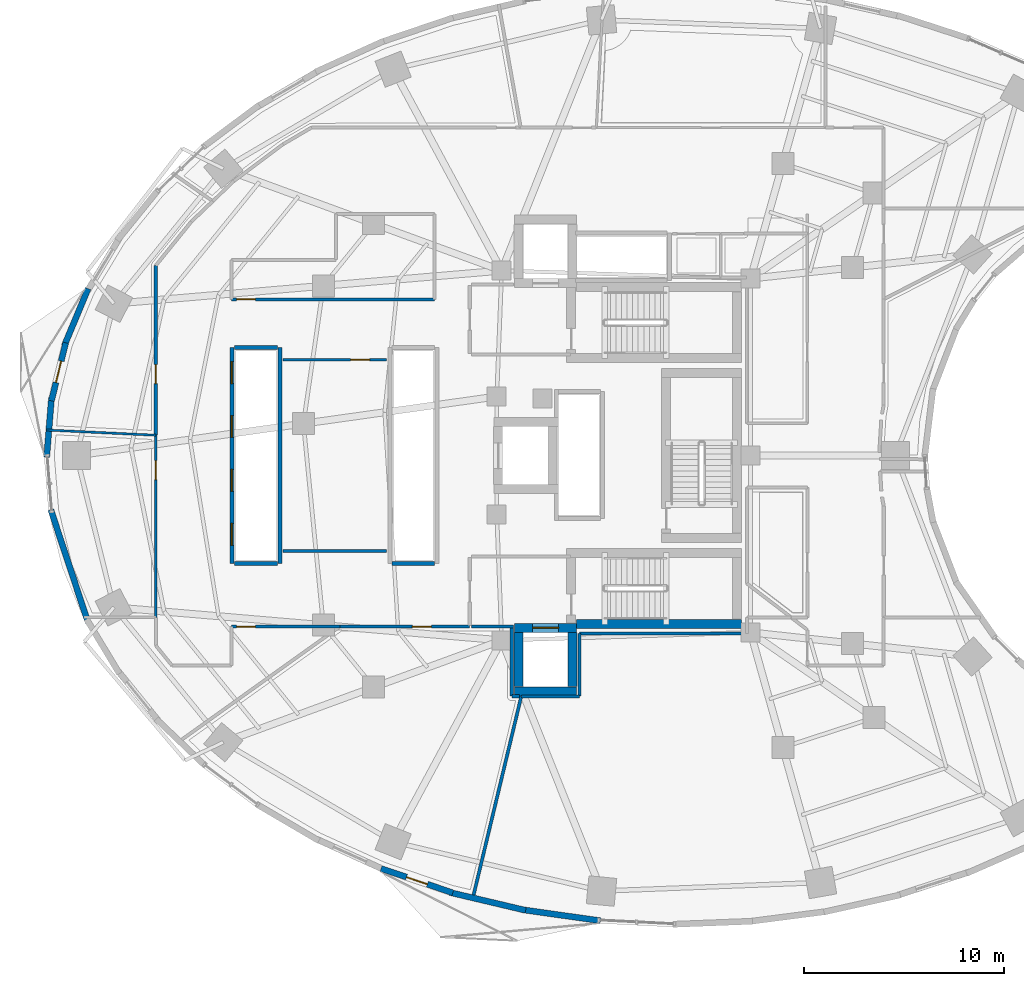
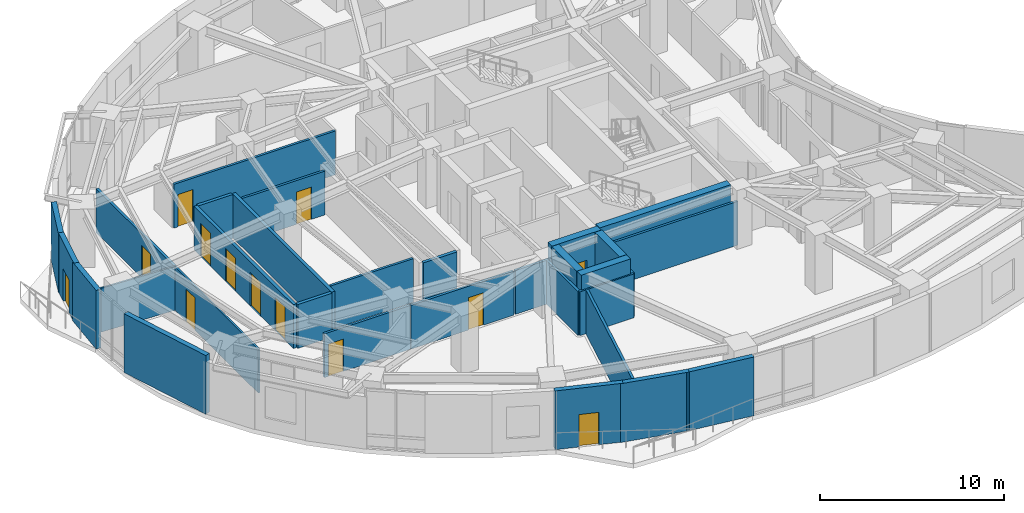
# One storey, part 11 of 17: 32 walls, 13 doors, 13 openings.
"""IFC4 building model written with IfcOpenShell, lengths in metres."""

from ifc_helpers import new_model, si_unit, direction, frame, frame_2d, origin, place, context, subcontext, project, spatial, rectangle, extrude, material, layer, layer_set, type_object, element, fill, save


model = new_model("IFC4")

# Units and contexts
model_context = context("Model", 3, precision=1e-05, world=origin(), true_north=direction((0.0, 1.0)))
body_context = subcontext(model_context, "Body", "Model", "MODEL_VIEW")
ifc_project = project(units=[si_unit("LENGTHUNIT", "METRE"), si_unit("AREAUNIT", "SQUARE_METRE"), si_unit("VOLUMEUNIT", "CUBIC_METRE"), si_unit("PLANEANGLEUNIT", "RADIAN"), si_unit("MASSUNIT", "GRAM", prefix="KILO")], contexts=[model_context])

# Site, building, storey
site_placement = place(None, origin())
site = spatial("IfcSite", under=ifc_project, at=site_placement, CompositionType="ELEMENT")
building_placement = place(site_placement, origin())
building = spatial("IfcBuilding", under=site, at=building_placement, Name="Korentha Bioscience Tower", CompositionType="ELEMENT")
storey_placement = place(building_placement, frame((0.0, 0.0, 25.800048828125)))
storey = spatial("IfcBuildingStorey", under=building, at=storey_placement, Name="L05", CompositionType="ELEMENT", Elevation=25.800048828125)

# Wall, opening, door
ifc_material_1 = material(Name="Double-Stud Acoustic Gypsum", Category="gypsum")
ifc_layer_1 = layer(ifc_material_1, 0.14990234375, Name="Double-Stud Acoustic Gypsum")
ifc_layer_set_1 = layer_set([ifc_layer_1], Name="Double-Stud Acoustic Gypsum (IW-L150)")
wall_type_1 = type_object("IfcWallType", Name="Acoustic Laboratory Partition Wall 150", PredefinedType="PARTITIONING", material=ifc_layer_set_1)
wall_1_placement = place(storey_placement, frame((14.159912109375, 31.7900390625, 0.0), z_axis=(0.0, 0.0, 1.0), x_axis=(1.0, 0.0, 0.0)))
wall_1 = element("IfcWall", 1, at=wall_1_placement, inside=storey, type_object=wall_type_1, Name="L05 Principal Investigator Office 01 Entrance Wall", PredefinedType="PARTITIONING", context=body_context, shape_type="SweptSolid", body=[
    extrude(rectangle(XDim=5.18017578125, YDim=0.14990234375, at=frame_2d((2.590087890625, 0.0))), origin(), (0.0, 0.0, 1.0), 2.909912109375),
])
opening_1_placement = place(wall_1_placement, frame((3.37841796875, 0.0, 0.0)))
opening_1 = element("IfcOpeningElement", 2, at=opening_1_placement, cuts=wall_1, Name="Opening ID-10L", PredefinedType="OPENING", context=body_context, shape_type="SweptSolid", body=[
    extrude(rectangle(XDim=0.949951171875, YDim=2.14990234375, at=frame_2d((0.47509765625, 1.074951171875))), frame((0.0, 0.08984375, 0.0), z_axis=(0.0, -1.0, 0.0), x_axis=(1.0, 0.0, 0.0)), (0.0, 0.0, 1.0), 0.1796875),
])
ifc_material_2 = material(Name="Phenolic Laminate Timber Core", Category="wood")
door_type_1 = type_object("IfcDoorType", Name="Laboratory Single Leaf Door 950x2150 Left", OperationType="SINGLE_SWING_LEFT", PredefinedType="DOOR", material=ifc_material_2)
door_1_placement = place(opening_1_placement, origin())
door_1 = element("IfcDoor", 3, at=door_1_placement, inside=storey, type_object=door_type_1, Name="L05 Principal Investigator Office 01 Door", OperationType="SINGLE_SWING_LEFT", OverallHeight=2.14990234375, OverallWidth=0.949951171875, PredefinedType="DOOR", context=body_context, shape_type="SweptSolid", body=[
    extrude(rectangle(XDim=0.949951171875, YDim=2.14990234375, at=frame_2d((0.47509765625, 1.074951171875))), frame((0.0, 0.02490234375, 0.0), z_axis=(0.0, -1.0, 0.0), x_axis=(1.0, 0.0, 0.0)), (0.0, 0.0, 1.0), 0.050048828125),
])
fill(opening_1, door_1)

wall_2_placement = place(storey_placement, frame((11.590087890625, 18.43994140625, 0.0), z_axis=(0.0, 0.0, 1.0), x_axis=(1.0, 0.0, 0.0)))
wall_2 = element("IfcWall", 4, at=wall_2_placement, inside=storey, type_object=wall_type_1, Name="L05 Staff Pantry Kitchenette 03 Entrance Wall", PredefinedType="PARTITIONING", context=body_context, shape_type="SweptSolid", body=[
    extrude(rectangle(XDim=5.4111328125, YDim=0.14990234375, at=frame_2d((2.70556640625, 0.0))), origin(), (0.0, 0.0, 1.0), 2.909912109375),
])
opening_2_placement = place(wall_2_placement, frame((0.239990234375, 0.0, 0.0)))
opening_2 = element("IfcOpeningElement", 5, at=opening_2_placement, cuts=wall_2, Name="Opening ID-10L", PredefinedType="OPENING", context=body_context, shape_type="SweptSolid", body=[
    extrude(rectangle(XDim=0.949951171875, YDim=2.14990234375, at=frame_2d((0.47509765625, 1.074951171875))), frame((0.0, 0.08984375, 0.0), z_axis=(0.0, -1.0, 0.0), x_axis=(1.0, 0.0, 0.0)), (0.0, 0.0, 1.0), 0.1796875),
])
door_2_placement = place(opening_2_placement, origin())
door_2 = element("IfcDoor", 6, at=door_2_placement, inside=storey, type_object=door_type_1, Name="L05 Staff Pantry Kitchenette 03 Door", OperationType="SINGLE_SWING_LEFT", OverallHeight=2.14990234375, OverallWidth=0.949951171875, PredefinedType="DOOR", context=body_context, shape_type="SweptSolid", body=[
    extrude(rectangle(XDim=0.949951171875, YDim=2.14990234375, at=frame_2d((0.47509765625, 1.074951171875))), frame((0.0, 0.02490234375, 0.0), z_axis=(0.0, -1.0, 0.0), x_axis=(1.0, 0.0, 0.0)), (0.0, 0.0, 1.0), 0.050048828125),
])
fill(opening_2, door_2)

wall_3_placement = place(storey_placement, frame((21.739990234375, 34.81005859375, 0.0), z_axis=(0.0, 0.0, 1.0), x_axis=(-1.0, 0.0, 0.0)))
wall_3 = element("IfcWall", 7, at=wall_3_placement, inside=storey, type_object=wall_type_1, Name="L05 Terrace View Refreshment Lounge 15 Entrance Wall", PredefinedType="PARTITIONING", context=body_context, shape_type="SweptSolid", body=[
    extrude(rectangle(XDim=10.14990234375, YDim=0.14990234375, at=frame_2d((5.074951171875, 0.0))), origin(), (0.0, 0.0, 1.0), 2.909912109375),
])
opening_3_placement = place(wall_3_placement, frame((8.9599609375, 0.0, 0.0)))
opening_3 = element("IfcOpeningElement", 8, at=opening_3_placement, cuts=wall_3, Name="Opening ID-10L", PredefinedType="OPENING", context=body_context, shape_type="SweptSolid", body=[
    extrude(rectangle(XDim=0.949951171875, YDim=2.14990234375, at=frame_2d((0.47509765625, 1.074951171875))), frame((0.0, 0.08984375, 0.0), z_axis=(0.0, -1.0, 0.0), x_axis=(1.0, 0.0, 0.0)), (0.0, 0.0, 1.0), 0.1796875),
])
door_3_placement = place(opening_3_placement, origin())
door_3 = element("IfcDoor", 9, at=door_3_placement, inside=storey, type_object=door_type_1, Name="L05 Terrace View Refreshment Lounge 15 Door", OperationType="SINGLE_SWING_LEFT", OverallHeight=2.14990234375, OverallWidth=0.949951171875, PredefinedType="DOOR", context=body_context, shape_type="SweptSolid", body=[
    extrude(rectangle(XDim=0.949951171875, YDim=2.14990234375, at=frame_2d((0.47509765625, 1.074951171875))), frame((0.0, 0.02490234375, 0.0), z_axis=(0.0, -1.0, 0.0), x_axis=(1.0, 0.0, 0.0)), (0.0, 0.0, 1.0), 0.050048828125),
])
fill(opening_3, door_3)

# Walls
wall_4_placement = place(storey_placement, frame((19.340087890625, 22.2099609375, 0.0), z_axis=(0.0, 0.0, 1.0), x_axis=(-1.0, 0.0, 0.0)))
element("IfcWall", 10, at=wall_4_placement, inside=storey, type_object=wall_type_1, Name="L05 Interior Partition 020", PredefinedType="PARTITIONING", context=body_context, shape_type="SweptSolid", body=[
    extrude(rectangle(XDim=5.18017578125, YDim=0.14990234375, at=frame_2d((2.590087890625, 0.0))), origin(), (0.0, 0.0, 1.0), 2.909912109375),
])
wall_5_placement = place(storey_placement, frame((29.0, 14.9541015625, 0.0), z_axis=(0.0, 0.0, 1.0), x_axis=(0.0, 1.0, 0.0)))
element("IfcWall", 11, at=wall_5_placement, inside=storey, type_object=wall_type_1, Name="L05 Interior Partition 031", PredefinedType="PARTITIONING", context=body_context, shape_type="SweptSolid", body=[
    extrude(rectangle(XDim=3.135986328125, YDim=0.14990234375, at=frame_2d((1.56787109375, 0.0))), origin(), (0.0, 0.0, 1.0), 2.909912109375),
])
wall_6_placement = place(storey_placement, frame((29.0, 18.090087890625, 0.0), z_axis=(0.0, 0.0, 1.0), x_axis=(1.0, 0.0, 0.0)))
element("IfcWall", 12, at=wall_6_placement, inside=storey, type_object=wall_type_1, Name="L05 Interior Partition 032", PredefinedType="PARTITIONING", context=body_context, shape_type="SweptSolid", body=[
    extrude(rectangle(XDim=8.35009765625, YDim=0.14990234375, at=frame_2d((4.175048828125, 0.0))), origin(), (0.0, 0.0, 1.0), 2.909912109375),
])
wall_7_placement = place(storey_placement, frame((26.088623046875, 14.949951171875, 0.0), z_axis=(0.0, 0.0, 1.0), x_axis=(1.0, 0.0, 0.0)))
element("IfcWall", 13, at=wall_7_placement, inside=storey, type_object=wall_type_1, Name="L05 Interior Partition 039", PredefinedType="PARTITIONING", context=body_context, shape_type="SweptSolid", body=[
    extrude(rectangle(XDim=2.9072265625, YDim=0.14990234375, at=frame_2d((1.45361328125, 0.0))), origin(), (0.0, 0.0, 1.0), 2.909912109375),
])

# Wall, opening, door
ifc_material_3 = material(Name="Fire-Rated Framed Glass", Category="glass")
ifc_layer_2 = layer(ifc_material_3, 0.110107421875, Name="Fire-Rated Framed Glass")
ifc_layer_set_2 = layer_set([ifc_layer_2], Name="Fire-Rated Framed Glass (IW-G110)")
wall_type_2 = type_object("IfcWallType", Name="Demountable Glazed Office Partition 110", PredefinedType="MOVABLE", material=ifc_layer_set_2)
wall_8_placement = place(storey_placement, frame((7.7900390625, 28.012939453125, 0.0), z_axis=(0.0, 0.0, 1.0), x_axis=(0.0, -1.0, 0.0)))
wall_8 = element("IfcWall", 14, at=wall_8_placement, inside=storey, type_object=wall_type_2, Name="L05 Research Colloquium Seminar Room 02 Entrance Wall", PredefinedType="MOVABLE", context=body_context, shape_type="SweptSolid", body=[
    extrude(rectangle(XDim=9.11083984375, YDim=0.110107421875, at=frame_2d((4.555419921875, 0.0))), origin(), (0.0, 0.0, 1.0), 2.909912109375),
])
opening_4_placement = place(wall_8_placement, frame((1.273193359375, 0.0, 0.0)))
opening_4 = element("IfcOpeningElement", 15, at=opening_4_placement, cuts=wall_8, Name="Opening ID-10R", PredefinedType="OPENING", context=body_context, shape_type="SweptSolid", body=[
    extrude(rectangle(XDim=0.949951171875, YDim=2.14990234375, at=frame_2d((0.47509765625, 1.074951171875))), frame((0.0, 0.06982421875, 0.0), z_axis=(0.0, -1.0, 0.0), x_axis=(1.0, 0.0, 0.0)), (0.0, 0.0, 1.0), 0.139892578125),
])
door_type_2 = type_object("IfcDoorType", Name="Laboratory Single Leaf Door 950x2150 Right", OperationType="SINGLE_SWING_RIGHT", PredefinedType="DOOR", material=ifc_material_2)
door_4_placement = place(opening_4_placement, origin())
door_4 = element("IfcDoor", 16, at=door_4_placement, inside=storey, type_object=door_type_2, Name="L05 Research Colloquium Seminar Room 02 Door", OperationType="SINGLE_SWING_RIGHT", OverallHeight=2.14990234375, OverallWidth=0.949951171875, PredefinedType="DOOR", context=body_context, shape_type="SweptSolid", body=[
    extrude(rectangle(XDim=0.949951171875, YDim=2.14990234375, at=frame_2d((0.47509765625, 1.074951171875))), frame((0.0, 0.02490234375, 0.0), z_axis=(0.0, -1.0, 0.0), x_axis=(1.0, 0.0, 0.0)), (0.0, 0.0, 1.0), 0.050048828125),
])
fill(opening_4, door_4)

# Walls
wall_9_placement = place(storey_placement, frame((2.323486328125, 28.274658203125, 0.0), z_axis=(0.0, 0.0, 1.0), x_axis=(0.998855892644, -0.047821603185, 0.0)))
element("IfcWall", 17, at=wall_9_placement, inside=storey, type_object=wall_type_2, Name="L05 Interior Partition 021", PredefinedType="MOVABLE", context=body_context, shape_type="SweptSolid", body=[
    extrude(rectangle(XDim=5.472900390625, YDim=0.110107421875, at=frame_2d((2.736328125, 0.0))), origin(), (0.0, 0.0, 1.0), 2.909912109375),
])
ifc_material_4 = material(Name="Gypsum-Clad Steel Stud", Category="steel")
ifc_layer_3 = layer(ifc_material_4, 0.159912109375, Name="Gypsum-Clad Steel Stud")
ifc_layer_set_3 = layer_set([ifc_layer_3], Name="Gypsum-Clad Steel Stud (IW-C160)")
wall_type_3 = type_object("IfcWallType", Name="Fire-Rated Corridor Partition Wall 160", PredefinedType="PARTITIONING", material=ifc_layer_set_3)
wall_10_placement = place(storey_placement, frame((23.580078125, 18.449951171875, 0.0), z_axis=(0.0, 0.0, 1.0), x_axis=(1.0, 0.0, 0.0)))
element("IfcWall", 18, at=wall_10_placement, inside=storey, type_object=wall_type_3, Name="L05 Firefighting Lobby Return Wall FFLS-S", PredefinedType="PARTITIONING", context=body_context, shape_type="SweptSolid", body=[
    extrude(rectangle(XDim=2.119873046875, YDim=0.159912109375, at=frame_2d((1.06005859375, 0.0))), origin(), (0.0, 0.0, 1.0), 2.909912109375),
])

# Wall, opening, door
wall_11_placement = place(storey_placement, frame((17.010986328125, 18.43994140625, 0.0), z_axis=(0.0, 0.0, 1.0), x_axis=(1.0, 0.0, 0.0)))
wall_11 = element("IfcWall", 19, at=wall_11_placement, inside=storey, type_object=wall_type_3, Name="L05 Biospecimen Archive Store 04 Entrance Wall", PredefinedType="PARTITIONING", context=body_context, shape_type="SweptSolid", body=[
    extrude(rectangle(XDim=6.47900390625, YDim=0.159912109375, at=frame_2d((3.239501953125, 0.0))), origin(), (0.0, 0.0, 1.0), 2.909912109375),
])
opening_5_placement = place(wall_11_placement, frame((3.618896484375, 0.0, 0.0)))
opening_5 = element("IfcOpeningElement", 20, at=opening_5_placement, cuts=wall_11, Name="Opening ID-10R", PredefinedType="OPENING", context=body_context, shape_type="SweptSolid", body=[
    extrude(rectangle(XDim=0.949951171875, YDim=2.14990234375, at=frame_2d((0.47509765625, 1.074951171875))), frame((0.0, 0.0947265625, 0.0), z_axis=(0.0, -1.0, 0.0), x_axis=(1.0, 0.0, 0.0)), (0.0, 0.0, 1.0), 0.189697265625),
])
door_5_placement = place(opening_5_placement, origin())
door_5 = element("IfcDoor", 21, at=door_5_placement, inside=storey, type_object=door_type_2, Name="L05 Biospecimen Archive Store 04 Door", OperationType="SINGLE_SWING_RIGHT", OverallHeight=2.14990234375, OverallWidth=0.949951171875, PredefinedType="DOOR", context=body_context, shape_type="SweptSolid", body=[
    extrude(rectangle(XDim=0.949951171875, YDim=2.14990234375, at=frame_2d((0.47509765625, 1.074951171875))), frame((0.0, 0.02490234375, 0.0), z_axis=(0.0, -1.0, 0.0), x_axis=(1.0, 0.0, 0.0)), (0.0, 0.0, 1.0), 0.050048828125),
])
fill(opening_5, door_5)

wall_12_placement = place(storey_placement, frame((7.7900390625, 36.501220703125, 0.0), z_axis=(0.0, 0.0, 1.0), x_axis=(0.0, -1.0, 0.0)))
wall_12 = element("IfcWall", 22, at=wall_12_placement, inside=storey, type_object=wall_type_3, Name="L05 Instrument Calibration Workshop 16 Entrance Wall", PredefinedType="PARTITIONING", context=body_context, shape_type="SweptSolid", body=[
    extrude(rectangle(XDim=8.478271484375, YDim=0.159912109375, at=frame_2d((4.2392578125, 0.0))), origin(), (0.0, 0.0, 1.0), 2.909912109375),
])
opening_6_placement = place(wall_12_placement, frame((4.9501953125, 0.0, 0.0)))
opening_6 = element("IfcOpeningElement", 23, at=opening_6_placement, cuts=wall_12, Name="Opening ID-10R", PredefinedType="OPENING", context=body_context, shape_type="SweptSolid", body=[
    extrude(rectangle(XDim=0.949951171875, YDim=2.14990234375, at=frame_2d((0.47509765625, 1.074951171875))), frame((0.0, 0.0947265625, 0.0), z_axis=(0.0, -1.0, 0.0), x_axis=(1.0, 0.0, 0.0)), (0.0, 0.0, 1.0), 0.189697265625),
])
door_6_placement = place(opening_6_placement, origin())
door_6 = element("IfcDoor", 24, at=door_6_placement, inside=storey, type_object=door_type_2, Name="L05 Instrument Calibration Workshop 16 Door", OperationType="SINGLE_SWING_RIGHT", OverallHeight=2.14990234375, OverallWidth=0.949951171875, PredefinedType="DOOR", context=body_context, shape_type="SweptSolid", body=[
    extrude(rectangle(XDim=0.949951171875, YDim=2.14990234375, at=frame_2d((0.47509765625, 1.074951171875))), frame((0.0, 0.02490234375, 0.0), z_axis=(0.0, -1.0, 0.0), x_axis=(1.0, 0.0, 0.0)), (0.0, 0.0, 1.0), 0.050048828125),
])
fill(opening_6, door_6)

# Walls
wall_13_placement = place(storey_placement, frame((25.60009765625, 18.43603515625, 0.0), z_axis=(0.0, 0.0, 1.0), x_axis=(0.0, -1.0, 0.0)))
element("IfcWall", 25, at=wall_13_placement, inside=storey, type_object=wall_type_3, Name="L05 Interior Partition 028", PredefinedType="PARTITIONING", context=body_context, shape_type="SweptSolid", body=[
    extrude(rectangle(XDim=3.48193359375, YDim=0.159912109375, at=frame_2d((1.740966796875, 0.0))), origin(), (0.0, 0.0, 1.0), 2.909912109375),
])
wall_14_placement = place(storey_placement, frame((25.60400390625, 14.949951171875, 0.0), z_axis=(0.0, 0.0, 1.0), x_axis=(1.0, 0.0, 0.0)))
element("IfcWall", 26, at=wall_14_placement, inside=storey, type_object=wall_type_3, Name="L05 Interior Partition 029", PredefinedType="PARTITIONING", context=body_context, shape_type="SweptSolid", body=[
    extrude(rectangle(XDim=0.389404296875, YDim=0.159912109375, at=frame_2d((0.19482421875, 0.0))), origin(), (0.0, 0.0, 1.0), 2.909912109375),
])
wall_15_placement = place(storey_placement, frame((26.07861328125, 14.949951171875, 0.0), z_axis=(0.0, 0.0, 1.0), x_axis=(-0.233446881406, -0.972369556065, 0.0)))
element("IfcWall", 27, at=wall_15_placement, inside=storey, type_object=wall_type_3, Name="L05 Interior Partition 030", PredefinedType="PARTITIONING", context=body_context, shape_type="SweptSolid", body=[
    extrude(rectangle(XDim=10.491455078125, YDim=0.159912109375, at=frame_2d((5.24560546875, 0.0))), origin(), (0.0, 0.0, 1.0), 2.909912109375),
])

# Wall, opening, door
ifc_material_5 = material(Name="Honed Limestone Precast Concrete C40", Category="masonry")
ifc_layer_4 = layer(ifc_material_5, 0.300048828125, Name="Honed Limestone Precast Concrete C40")
ifc_layer_set_4 = layer_set([ifc_layer_4], Name="Honed Limestone Precast Concrete C40 (EW-ST300)")
wall_type_4 = type_object("IfcWallType", Name="Honed Limestone Cavity Spandrel Wall 300", PredefinedType="STANDARD", material=ifc_layer_set_4)
wall_16_placement = place(storey_placement, frame((3.28466796875, 32.640625, 0.0), z_axis=(0.0, 0.0, 1.0), x_axis=(-0.238522035896, -0.971137085273, 0.0)))
wall_16 = element("IfcWall", 28, at=wall_16_placement, inside=storey, type_object=wall_type_4, Name="L05 Balcony Threshold Wall 02", PredefinedType="STANDARD", context=body_context, shape_type="SweptSolid", body=[
    extrude(rectangle(XDim=2.992919921875, YDim=0.300048828125, at=frame_2d((1.49658203125, 0.0))), origin(), (0.0, 0.0, 1.0), 3.89990234375),
])
opening_7_placement = place(wall_16_placement, frame((0.9462890625, 0.0, 0.0)))
opening_7 = element("IfcOpeningElement", 29, at=opening_7_placement, cuts=wall_16, Name="Opening BD-11R", PredefinedType="OPENING", context=body_context, shape_type="SweptSolid", body=[
    extrude(rectangle(XDim=1.10009765625, YDim=2.14990234375, at=frame_2d((0.550048828125, 1.074951171875))), frame((0.0, 0.1650390625, 0.0), z_axis=(0.0, -1.0, 0.0), x_axis=(1.0, 0.0, 0.0)), (0.0, 0.0, 1.0), 0.329833984375),
])
ifc_material_6 = material(Name="Thermally Broken Glazed Aluminium", Category="aluminium")
door_type_3 = type_object("IfcDoorType", Name="Balcony Terrace Glazed Door 1100x2150 Right", OperationType="SINGLE_SWING_RIGHT", PredefinedType="DOOR", material=ifc_material_6)
door_7_placement = place(opening_7_placement, origin())
door_7 = element("IfcDoor", 30, at=door_7_placement, inside=storey, type_object=door_type_3, Name="L05 Balcony Access Door 02", OperationType="SINGLE_SWING_RIGHT", OverallHeight=2.14990234375, OverallWidth=1.10009765625, PredefinedType="DOOR", context=body_context, shape_type="SweptSolid", body=[
    extrude(rectangle(XDim=1.10009765625, YDim=2.14990234375, at=frame_2d((0.550048828125, 1.074951171875))), frame((0.0, 0.02490234375, 0.0), z_axis=(0.0, -1.0, 0.0), x_axis=(1.0, 0.0, 0.0)), (0.0, 0.0, 1.0), 0.050048828125),
])
fill(opening_7, door_7)

wall_17_placement = place(storey_placement, frame((19.0654296875, 6.333251953125, 0.0), z_axis=(0.0, 0.0, 1.0), x_axis=(0.947034337234, -0.321132315564, 0.0)))
wall_17 = element("IfcWall", 31, at=wall_17_placement, inside=storey, type_object=wall_type_4, Name="L05 Balcony Threshold Wall 03", PredefinedType="STANDARD", context=body_context, shape_type="SweptSolid", body=[
    extrude(rectangle(XDim=3.789794921875, YDim=0.300048828125, at=frame_2d((1.89501953125, 0.0))), origin(), (0.0, 0.0, 1.0), 3.89990234375),
])
opening_8_placement = place(wall_17_placement, frame((1.344970703125, 0.0, 0.0)))
opening_8 = element("IfcOpeningElement", 32, at=opening_8_placement, cuts=wall_17, Name="Opening BD-11L", PredefinedType="OPENING", context=body_context, shape_type="SweptSolid", body=[
    extrude(rectangle(XDim=1.10009765625, YDim=2.14990234375, at=frame_2d((0.550048828125, 1.074951171875))), frame((0.0, 0.1650390625, 0.0), z_axis=(0.0, -1.0, 0.0), x_axis=(1.0, 0.0, 0.0)), (0.0, 0.0, 1.0), 0.329833984375),
])
door_type_4 = type_object("IfcDoorType", Name="Balcony Terrace Glazed Door 1100x2150 Left", OperationType="SINGLE_SWING_LEFT", PredefinedType="DOOR", material=ifc_material_6)
door_8_placement = place(opening_8_placement, origin())
door_8 = element("IfcDoor", 33, at=door_8_placement, inside=storey, type_object=door_type_4, Name="L05 Balcony Access Door 03", OperationType="SINGLE_SWING_LEFT", OverallHeight=2.14990234375, OverallWidth=1.10009765625, PredefinedType="DOOR", context=body_context, shape_type="SweptSolid", body=[
    extrude(rectangle(XDim=1.10009765625, YDim=2.14990234375, at=frame_2d((0.550048828125, 1.074951171875))), frame((0.0, 0.02490234375, 0.0), z_axis=(0.0, -1.0, 0.0), x_axis=(1.0, 0.0, 0.0)), (0.0, 0.0, 1.0), 0.050048828125),
])
fill(opening_8, door_8)

# Walls
wall_18_placement = place(storey_placement, frame((4.40625, 35.34912109375, 0.0), z_axis=(0.0, 0.0, 1.0), x_axis=(-0.38535448421, -0.922768617531, 0.0)))
element("IfcWall", 34, at=wall_18_placement, inside=storey, type_object=wall_type_4, Name="L05 Limestone Perimeter Closure Wall 16", PredefinedType="STANDARD", context=body_context, shape_type="SweptSolid", body=[
    extrude(rectangle(XDim=3.095458984375, YDim=0.300048828125, at=frame_2d((1.5478515625, 0.0))), origin(), (0.0, 0.0, 1.0), 3.89990234375),
])
wall_19_placement = place(storey_placement, frame((2.57568359375, 29.899169921875, 0.0), z_axis=(0.0, 0.0, 1.0), x_axis=(-0.080890160317, -0.996723021689, 0.0)))
element("IfcWall", 35, at=wall_19_placement, inside=storey, type_object=wall_type_4, Name="L05 Limestone Perimeter Closure Wall 18", PredefinedType="STANDARD", context=body_context, shape_type="SweptSolid", body=[
    extrude(rectangle(XDim=3.0, YDim=0.300048828125, at=frame_2d((1.5, 0.0))), origin(), (0.0, 0.0, 1.0), 3.89990234375),
])
wall_20_placement = place(storey_placement, frame((2.537353515625, 24.289306640625, 0.0), z_axis=(0.0, 0.0, 1.0), x_axis=(0.31372816724, -0.949512841978, 0.0)))
element("IfcWall", 36, at=wall_20_placement, inside=storey, type_object=wall_type_4, Name="L05 Limestone Perimeter Closure Wall 20", PredefinedType="STANDARD", context=body_context, shape_type="SweptSolid", body=[
    extrude(rectangle(XDim=5.950927734375, YDim=0.300048828125, at=frame_2d((2.9755859375, 0.0))), origin(), (0.0, 0.0, 1.0), 3.89990234375),
])
wall_21_placement = place(storey_placement, frame((22.50048828125, 5.138427734375, 0.0), z_axis=(0.0, 0.0, 1.0), x_axis=(0.973197600754, -0.229970497863, 0.0)))
element("IfcWall", 37, at=wall_21_placement, inside=storey, type_object=wall_type_4, Name="L05 Limestone Perimeter Closure Wall 29", PredefinedType="STANDARD", context=body_context, shape_type="SweptSolid", body=[
    extrude(rectangle(XDim=3.9013671875, YDim=0.300048828125, at=frame_2d((1.95068359375, 0.0))), origin(), (0.0, 0.0, 1.0), 3.89990234375),
])
wall_22_placement = place(storey_placement, frame((26.127685546875, 4.273193359375, 0.0), z_axis=(0.0, 0.0, 1.0), x_axis=(0.990165832998, -0.139898617443, 0.0)))
element("IfcWall", 38, at=wall_22_placement, inside=storey, type_object=wall_type_4, Name="L05 Limestone Perimeter Closure Wall 30", PredefinedType="STANDARD", context=body_context, shape_type="SweptSolid", body=[
    extrude(rectangle(XDim=3.950927734375, YDim=0.300048828125, at=frame_2d((1.9755859375, 0.0))), origin(), (0.0, 0.0, 1.0), 3.89990234375),
])

# Wall, openings, doors
ifc_material_7 = material(Name="Autoclaved Aerated Concrete Block C25", Category="concrete")
ifc_layer_5 = layer(ifc_material_7, 0.199951171875, Name="Autoclaved Aerated Concrete Block C25")
ifc_layer_set_5 = layer_set([ifc_layer_5], Name="Autoclaved Aerated Concrete Block C25 (IW-S200)")
wall_type_5 = type_object("IfcWallType", Name="Lift and Riser Shaft Enclosure Wall 200", PredefinedType="PARTITIONING", material=ifc_layer_set_5)
wall_23_placement = place(storey_placement, frame((11.60009765625, 21.60009765625, 0.0), z_axis=(0.0, 0.0, 1.0), x_axis=(0.0, 1.0, 0.0)))
wall_23 = element("IfcWall", 39, at=wall_23_placement, inside=storey, type_object=wall_type_5, Name="L05 Lift Bank LOW Shaft Wall -X", PredefinedType="PARTITIONING", context=body_context, shape_type="SweptSolid", body=[
    extrude(rectangle(XDim=10.7998046875, YDim=0.199951171875, at=frame_2d((5.39990234375, 0.0))), origin(), (0.0, 0.0, 1.0), 2.909912109375),
])
opening_9_placement = place(wall_23_placement, frame((0.89990234375, 0.0, 0.0)))
opening_9 = element("IfcOpeningElement", 40, at=opening_9_placement, cuts=wall_23, Name="Opening LD-11", PredefinedType="OPENING", context=body_context, shape_type="SweptSolid", body=[
    extrude(rectangle(XDim=1.10009765625, YDim=2.199951171875, at=frame_2d((0.550048828125, 1.10009765625))), frame((0.0, 0.11474609375, 0.0), z_axis=(0.0, -1.0, 0.0), x_axis=(1.0, 0.0, 0.0)), (0.0, 0.0, 1.0), 0.229736328125),
])
opening_10_placement = place(wall_23_placement, frame((3.60009765625, 0.0, 0.0)))
opening_10 = element("IfcOpeningElement", 41, at=opening_10_placement, cuts=wall_23, Name="Opening LD-11", PredefinedType="OPENING", context=body_context, shape_type="SweptSolid", body=[
    extrude(rectangle(XDim=1.10009765625, YDim=2.199951171875, at=frame_2d((0.550048828125, 1.10009765625))), frame((0.0, 0.11474609375, 0.0), z_axis=(0.0, -1.0, 0.0), x_axis=(1.0, 0.0, 0.0)), (0.0, 0.0, 1.0), 0.229736328125),
])
opening_11_placement = place(wall_23_placement, frame((6.300048828125, 0.0, 0.0)))
opening_11 = element("IfcOpeningElement", 42, at=opening_11_placement, cuts=wall_23, Name="Opening LD-11", PredefinedType="OPENING", context=body_context, shape_type="SweptSolid", body=[
    extrude(rectangle(XDim=1.10009765625, YDim=2.199951171875, at=frame_2d((0.550048828125, 1.10009765625))), frame((0.0, 0.11474609375, 0.0), z_axis=(0.0, -1.0, 0.0), x_axis=(1.0, 0.0, 0.0)), (0.0, 0.0, 1.0), 0.229736328125),
])
opening_12_placement = place(wall_23_placement, frame((9.0, 0.0, 0.0)))
opening_12 = element("IfcOpeningElement", 43, at=opening_12_placement, cuts=wall_23, Name="Opening LD-11", PredefinedType="OPENING", context=body_context, shape_type="SweptSolid", body=[
    extrude(rectangle(XDim=1.10009765625, YDim=2.199951171875, at=frame_2d((0.550048828125, 1.10009765625))), frame((0.0, 0.11474609375, 0.0), z_axis=(0.0, -1.0, 0.0), x_axis=(1.0, 0.0, 0.0)), (0.0, 0.0, 1.0), 0.229736328125),
])
ifc_material_8 = material(Name="Brushed Stainless Steel 304", Category="steel")
door_type_5 = type_object("IfcDoorType", Name="Passenger Lift Sliding Landing Door 1100x2200", OperationType="DOUBLE_DOOR_SLIDING", PredefinedType="DOOR", material=ifc_material_8)
door_9_placement = place(opening_9_placement, origin())
door_9 = element("IfcDoor", 44, at=door_9_placement, inside=storey, type_object=door_type_5, Name="L05 PL-L1 Sliding Lift Landing Door", OperationType="DOUBLE_DOOR_SLIDING", OverallHeight=2.199951171875, OverallWidth=1.10009765625, PredefinedType="DOOR", context=body_context, shape_type="SweptSolid", body=[
    extrude(rectangle(XDim=1.10009765625, YDim=2.199951171875, at=frame_2d((0.550048828125, 1.10009765625))), frame((0.0, 0.02490234375, 0.0), z_axis=(0.0, -1.0, 0.0), x_axis=(1.0, 0.0, 0.0)), (0.0, 0.0, 1.0), 0.050048828125),
])
fill(opening_9, door_9)
door_10_placement = place(opening_10_placement, origin())
door_10 = element("IfcDoor", 45, at=door_10_placement, inside=storey, type_object=door_type_5, Name="L05 PL-L2 Sliding Lift Landing Door", OperationType="DOUBLE_DOOR_SLIDING", OverallHeight=2.199951171875, OverallWidth=1.10009765625, PredefinedType="DOOR", context=body_context, shape_type="SweptSolid", body=[
    extrude(rectangle(XDim=1.10009765625, YDim=2.199951171875, at=frame_2d((0.550048828125, 1.10009765625))), frame((0.0, 0.02490234375, 0.0), z_axis=(0.0, -1.0, 0.0), x_axis=(1.0, 0.0, 0.0)), (0.0, 0.0, 1.0), 0.050048828125),
])
fill(opening_10, door_10)
door_11_placement = place(opening_11_placement, origin())
door_11 = element("IfcDoor", 46, at=door_11_placement, inside=storey, type_object=door_type_5, Name="L05 PL-L3 Sliding Lift Landing Door", OperationType="DOUBLE_DOOR_SLIDING", OverallHeight=2.199951171875, OverallWidth=1.10009765625, PredefinedType="DOOR", context=body_context, shape_type="SweptSolid", body=[
    extrude(rectangle(XDim=1.10009765625, YDim=2.199951171875, at=frame_2d((0.550048828125, 1.10009765625))), frame((0.0, 0.02490234375, 0.0), z_axis=(0.0, -1.0, 0.0), x_axis=(1.0, 0.0, 0.0)), (0.0, 0.0, 1.0), 0.050048828125),
])
fill(opening_11, door_11)
door_12_placement = place(opening_12_placement, origin())
door_12 = element("IfcDoor", 47, at=door_12_placement, inside=storey, type_object=door_type_5, Name="L05 PL-L4 Sliding Lift Landing Door", OperationType="DOUBLE_DOOR_SLIDING", OverallHeight=2.199951171875, OverallWidth=1.10009765625, PredefinedType="DOOR", context=body_context, shape_type="SweptSolid", body=[
    extrude(rectangle(XDim=1.10009765625, YDim=2.199951171875, at=frame_2d((0.550048828125, 1.10009765625))), frame((0.0, 0.02490234375, 0.0), z_axis=(0.0, -1.0, 0.0), x_axis=(1.0, 0.0, 0.0)), (0.0, 0.0, 1.0), 0.050048828125),
])
fill(opening_12, door_12)

# Walls
wall_24_placement = place(storey_placement, frame((14.0, 21.60009765625, 0.0), z_axis=(0.0, 0.0, 1.0), x_axis=(0.0, 1.0, 0.0)))
element("IfcWall", 48, at=wall_24_placement, inside=storey, type_object=wall_type_5, Name="L05 Lift Bank LOW Shaft Wall +X", PredefinedType="PARTITIONING", context=body_context, shape_type="SweptSolid", body=[
    extrude(rectangle(XDim=10.7998046875, YDim=0.199951171875, at=frame_2d((5.39990234375, 0.0))), origin(), (0.0, 0.0, 1.0), 2.909912109375),
])
for number, where, z_axis, x_axis, name in (
    (49, (11.719970703125, 21.60009765625, 0.0), (0.0, 0.0, 1.0), (1.0, 0.0, 0.0), "L05 Lift Bank LOW Shaft Wall -Y"),
    (50, (11.719970703125, 32.39990234375, 0.0), (0.0, 0.0, 1.0), (1.0, 0.0, 0.0), "L05 Lift Bank LOW Shaft Wall +Y"),
):
    element("IfcWall", number, at=place(storey_placement, frame(where, z_axis=z_axis, x_axis=x_axis)), inside=storey, type_object=wall_type_5, Name=name, PredefinedType="PARTITIONING", context=body_context, shape_type="SweptSolid", body=[
        extrude(rectangle(XDim=2.159912109375, YDim=0.199951171875, at=frame_2d((1.080078125, 0.0))), origin(), (0.0, 0.0, 1.0), 2.909912109375),
    ])
wall_25_placement = place(storey_placement, frame((19.6201171875, 21.60009765625, 0.0), z_axis=(0.0, 0.0, 1.0), x_axis=(1.0, 0.0, 0.0)))
element("IfcWall", 51, at=wall_25_placement, inside=storey, type_object=wall_type_5, Name="L05 Lift Bank MID Shaft Wall -Y", PredefinedType="PARTITIONING", context=body_context, shape_type="SweptSolid", body=[
    extrude(rectangle(XDim=2.10986328125, YDim=0.199951171875, at=frame_2d((1.054931640625, 0.0))), origin(), (0.0, 0.0, 1.0), 2.909912109375),
])
ifc_material_9 = material(Name="Concrete C80", Category="concrete")
ifc_layer_6 = layer(ifc_material_9, 0.449951171875, Name="Concrete C80")
ifc_layer_set_6 = layer_set([ifc_layer_6], Name="Concrete C80 (CW-C80)")
wall_type_6 = type_object("IfcWallType", Name="Lower Core Shear Wall 450", PredefinedType="SHEAR", material=ifc_layer_set_6)
wall_26_placement = place(storey_placement, frame((28.85205078125, 18.574951171875, 0.0), z_axis=(0.0, 0.0, 1.0), x_axis=(1.0, 0.0, 0.0)))
element("IfcWall", 52, at=wall_26_placement, inside=storey, type_object=wall_type_6, Name="L05 Core Shear Wall ST2-S", PredefinedType="SHEAR", context=body_context, shape_type="SweptSolid", body=[
    extrude(rectangle(XDim=8.248046875, YDim=0.449951171875, at=frame_2d((4.1240234375, 0.0))), origin(), (0.0, 0.0, 1.0), 3.89990234375),
])
wall_27_placement = place(storey_placement, frame((25.75, 15.199951171875, 0.0), z_axis=(0.0, 0.0, 1.0), x_axis=(1.0, 0.0, 0.0)))
element("IfcWall", 53, at=wall_27_placement, inside=storey, type_object=wall_type_6, Name="L05 Core Shear Wall FFL1-S", PredefinedType="SHEAR", context=body_context, shape_type="SweptSolid", body=[
    extrude(rectangle(XDim=3.10009765625, YDim=0.449951171875, at=frame_2d((1.550048828125, 0.0))), origin(), (0.0, 0.0, 1.0), 3.89990234375),
])

# Wall, opening, door
wall_28_placement = place(storey_placement, frame((25.75, 18.3798828125, 0.0), z_axis=(0.0, 0.0, 1.0), x_axis=(1.0, 0.0, 0.0)))
wall_28 = element("IfcWall", 54, at=wall_28_placement, inside=storey, type_object=wall_type_6, Name="L05 Core Shear Wall FFL1-N", PredefinedType="SHEAR", context=body_context, shape_type="SweptSolid", body=[
    extrude(rectangle(XDim=3.10009765625, YDim=0.449951171875, at=frame_2d((1.550048828125, 0.0))), origin(), (0.0, 0.0, 1.0), 3.89990234375),
])
opening_13_placement = place(wall_28_placement, frame((0.89990234375, 0.0, 0.0)))
opening_13 = element("IfcOpeningElement", 55, at=opening_13_placement, cuts=wall_28, Name="Opening LD-13", PredefinedType="OPENING", context=body_context, shape_type="SweptSolid", body=[
    extrude(rectangle(XDim=1.300048828125, YDim=2.199951171875, at=frame_2d((0.64990234375, 1.10009765625))), frame((0.0, 0.23974609375, 0.0), z_axis=(0.0, -1.0, 0.0), x_axis=(1.0, 0.0, 0.0)), (0.0, 0.0, 1.0), 0.479736328125),
])
ifc_material_10 = material(Name="Brushed Stainless Steel 316", Category="steel")
door_type_6 = type_object("IfcDoorType", Name="Service & Firefighting Lift Landing Door 1300x2300", OperationType="DOUBLE_DOOR_SLIDING", PredefinedType="DOOR", material=ifc_material_10)
door_13_placement = place(opening_13_placement, origin())
door_13 = element("IfcDoor", 56, at=door_13_placement, inside=storey, type_object=door_type_6, Name="L05 FFL-1 Sliding Lift Landing Door", OperationType="DOUBLE_DOOR_SLIDING", OverallHeight=2.199951171875, OverallWidth=1.300048828125, PredefinedType="DOOR", context=body_context, shape_type="SweptSolid", body=[
    extrude(rectangle(XDim=1.300048828125, YDim=2.199951171875, at=frame_2d((0.64990234375, 1.10009765625))), frame((0.0, 0.02490234375, 0.0), z_axis=(0.0, -1.0, 0.0), x_axis=(1.0, 0.0, 0.0)), (0.0, 0.0, 1.0), 0.050048828125),
])
fill(opening_13, door_13)

# Walls
for number, where, z_axis, x_axis, name in (
    (57, (25.949951171875, 15.43994140625, 0.0), (0.0, 0.0, 1.0), (0.0, 1.0, 0.0), "L05 Core Shear Wall FFL1-W"),
    (58, (28.64990234375, 15.43994140625, 0.0), (0.0, 0.0, 1.0), (0.0, 1.0, 0.0), "L05 Core Shear Wall FFL1-E"),
):
    element("IfcWall", number, at=place(storey_placement, frame(where, z_axis=z_axis, x_axis=x_axis)), inside=storey, type_object=wall_type_6, Name=name, PredefinedType="SHEAR", context=body_context, shape_type="SweptSolid", body=[
        extrude(rectangle(XDim=2.699951171875, YDim=0.449951171875, at=frame_2d((1.35009765625, 0.0))), origin(), (0.0, 0.0, 1.0), 3.89990234375),
    ])

save(model, "model.ifc")
